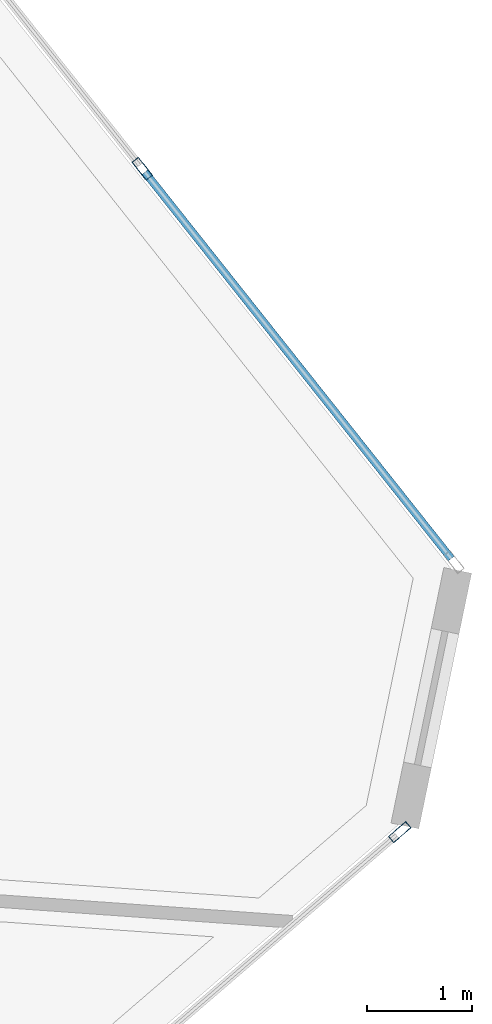
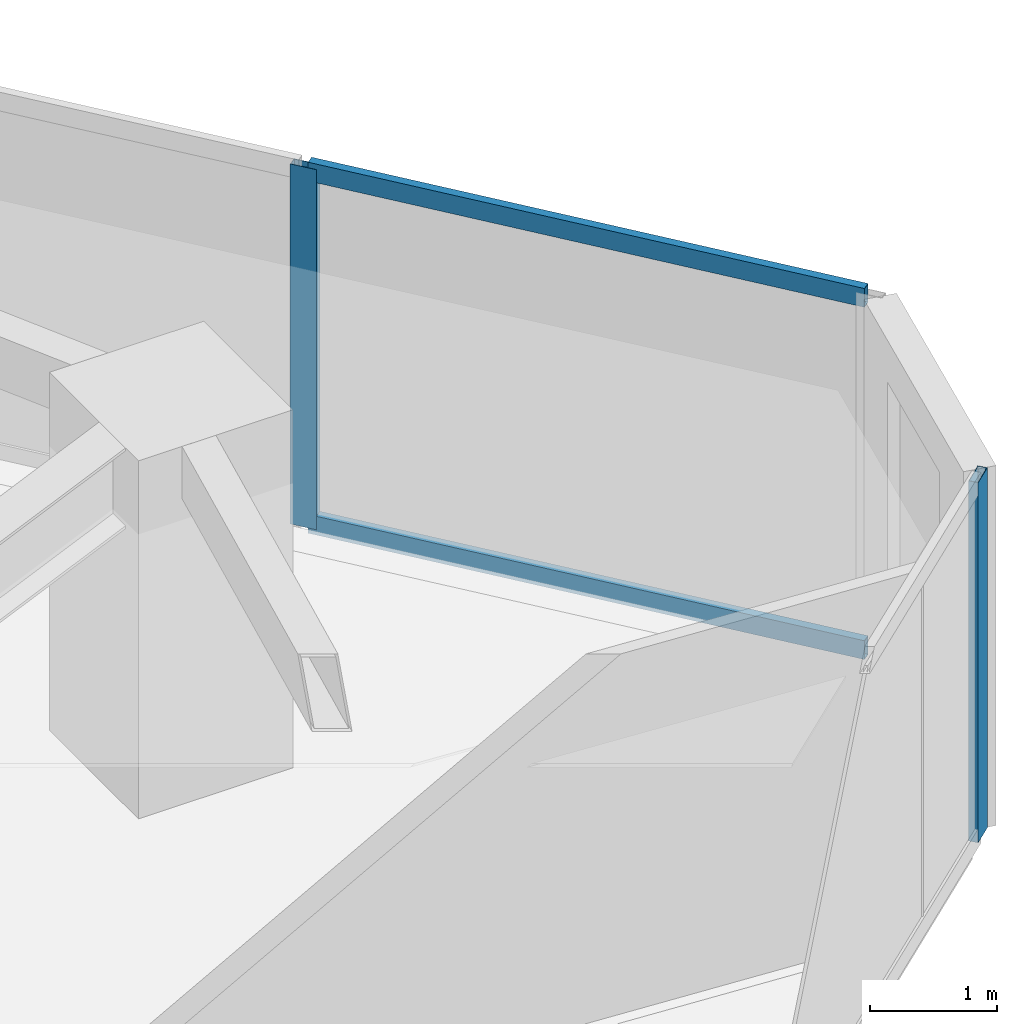
# One storey, part 12 of 24: 4 members, 2 elements without a shape of their own.
"""IFC4 building model written with IfcOpenShell, lengths in metres."""

from ifc_helpers import new_model, si_unit, direction, frame, origin, origin_2d, place, context, subcontext, project, spatial, hollow_rectangle, extrude, source, transform, mapped, material, layer, layer_set, material_profile, profile_set, type_object, type_shapes, element, aggregate, save


model = new_model("IFC4")

# Units and contexts
model_context = context("Model", 3, precision=1e-05, world=origin(), true_north=direction((0.0, 1.0)))
body_context = subcontext(model_context, "Body", "Model", "MODEL_VIEW")
ifc_project = project(units=[si_unit("LENGTHUNIT", "METRE"), si_unit("AREAUNIT", "SQUARE_METRE"), si_unit("VOLUMEUNIT", "CUBIC_METRE"), si_unit("PLANEANGLEUNIT", "RADIAN"), si_unit("MASSUNIT", "GRAM", prefix="KILO")], contexts=[model_context])

# Site, building, storey
site_placement = place(None, origin())
site = spatial("IfcSite", under=ifc_project, at=site_placement, CompositionType="ELEMENT")
building_placement = place(site_placement, origin())
building = spatial("IfcBuilding", under=site, at=building_placement, Name="Talar Marvaseh", CompositionType="ELEMENT")
storey_placement = place(building_placement, frame((0.0, 0.0, 81.0)))
storey = spatial("IfcBuildingStorey", under=building, at=storey_placement, Name="L20", CompositionType="ELEMENT", Elevation=81.0)

# Curtain wall, members
ifc_material = material(Name="Architectural Aluminium", Category="aluminium")
ifc_layer = layer(ifc_material, 0.219970703125)
ifc_layer_set = layer_set([ifc_layer], Name="Architectural Aluminium")
curtain_wall_type = type_object("IfcCurtainWallType", Name="Unitised Low-E Museum Curtain Wall Z1", PredefinedType="NOTDEFINED", material=ifc_layer_set)
curtain_wall_1_placement = place(storey_placement, origin())
curtain_wall_1 = element("IfcCurtainWall", 1, at=curtain_wall_1_placement, inside=storey, type_object=curtain_wall_type, Name="L20 Unitised Low-E Museum Curtain Wall Z1", PredefinedType="NOTDEFINED")
ifc_material_profile_1 = material_profile(ifc_material, hollow_rectangle(XDim=0.074951171875, YDim=0.179931640625, WallThickness=0.0048828125, at=origin_2d()), Name="RHS180x75x5")
ifc_profile_set_1 = profile_set([ifc_material_profile_1], Name="Architectural Aluminium")
member_type_1 = type_object("IfcMemberType", Name="Unitised Curtain Wall Transom RHS180x75x5", PredefinedType="USERDEFINED", material=ifc_profile_set_1)
shared_shape_1 = source(origin(), body_context, "Body", "SweptSolid", [
    extrude(hollow_rectangle(XDim=0.074951171875, YDim=0.179931640625, WallThickness=0.0048828125, at=origin_2d()), origin(), (0.0, 0.0, 1.0), 4.696533203125),
])
type_shapes(member_type_1, [shared_shape_1])
member_1_placement = place(storey_placement, frame((49.32958984375, 33.250732421875, 0.03759765625), z_axis=(0.621202125836, -0.7836503805, 0.0), x_axis=(0.7836503805, 0.621202125836, 0.0)))
member_1 = element("IfcMember", 2, at=member_1_placement, type_object=member_type_1, Name="CW-Z1 transom 4.1", ObjectType="TRANSOM", PredefinedType="USERDEFINED", context=body_context, shape_type="MappedRepresentation", body=[
    mapped(shared_shape_1, transform((0.0, 0.0, 0.0), x_axis=(1.0, 0.0, 0.0), y_axis=(0.0, 1.0, 0.0), z_axis=(0.0, 0.0, 1.0), scale=1.0)),
])
member_2_placement = place(storey_placement, frame((49.32958984375, 33.250732421875, 3.41259765625), z_axis=(0.621202125836, -0.7836503805, 0.0), x_axis=(0.7836503805, 0.621202125836, 0.0)))
member_2 = element("IfcMember", 3, at=member_2_placement, type_object=member_type_1, Name="CW-Z1 transom 4.2", ObjectType="TRANSOM", PredefinedType="USERDEFINED", context=body_context, shape_type="MappedRepresentation", body=[
    mapped(shared_shape_1, transform((0.0, 0.0, 0.0), x_axis=(1.0, 0.0, 0.0), y_axis=(0.0, 1.0, 0.0), z_axis=(0.0, 0.0, 1.0), scale=1.0)),
])
ifc_material_profile_2 = material_profile(ifc_material, hollow_rectangle(XDim=0.080078125, YDim=0.219970703125, WallThickness=0.0048828125, at=origin_2d()), Name="RHS220x80x5")
ifc_profile_set_2 = profile_set([ifc_material_profile_2], Name="Architectural Aluminium")
member_type_2 = type_object("IfcMemberType", Name="Unitised Curtain Wall Heavy Mullion RHS220x80x5", PredefinedType="MULLION", material=ifc_profile_set_2)
shared_shape_2 = source(origin(), body_context, "Body", "SweptSolid", [
    extrude(hollow_rectangle(XDim=0.080078125, YDim=0.219970703125, WallThickness=0.0048828125, at=origin_2d()), origin(), (0.0, 0.0, 1.0), 3.449951171875),
])
type_shapes(member_type_2, [shared_shape_2])
member_3_placement = place(storey_placement, frame((49.3046875, 33.2822265625, 0.0), z_axis=(0.0, 0.0, 1.0), x_axis=(0.783650669629, 0.621201761097, 0.0)))
member_3 = element("IfcMember", 4, at=member_3_placement, type_object=member_type_2, Name="CW-Z1 mullion 4", PredefinedType="MULLION", context=body_context, shape_type="MappedRepresentation", body=[
    mapped(shared_shape_2, transform((0.0, 0.0, 0.0), x_axis=(1.0, 0.0, 0.0), y_axis=(0.0, 1.0, 0.0), z_axis=(0.0, 0.0, 1.0), scale=1.0)),
])
aggregate(curtain_wall_1, [member_3, member_1, member_2])

# Curtain wall, member
curtain_wall_2_placement = place(storey_placement, origin())
curtain_wall_2 = element("IfcCurtainWall", 5, at=curtain_wall_2_placement, inside=storey, type_object=curtain_wall_type, Name="L20 Unitised Low-E Museum Curtain Wall Z1", PredefinedType="NOTDEFINED")
member_4_placement = place(storey_placement, frame((51.755859375, 26.966064453125, 0.0), z_axis=(0.0, 0.0, 1.0), x_axis=(0.652644071563, -0.757664646036, 0.0)))
member_4 = element("IfcMember", 6, at=member_4_placement, type_object=member_type_2, Name="CW-Z1 mullion 1", PredefinedType="MULLION", context=body_context, shape_type="MappedRepresentation", body=[
    mapped(shared_shape_2, transform((0.0, 0.0, 0.0), x_axis=(1.0, 0.0, 0.0), y_axis=(0.0, 1.0, 0.0), z_axis=(0.0, 0.0, 1.0), scale=1.0)),
])
aggregate(curtain_wall_2, [member_4])

save(model, "model.ifc")
